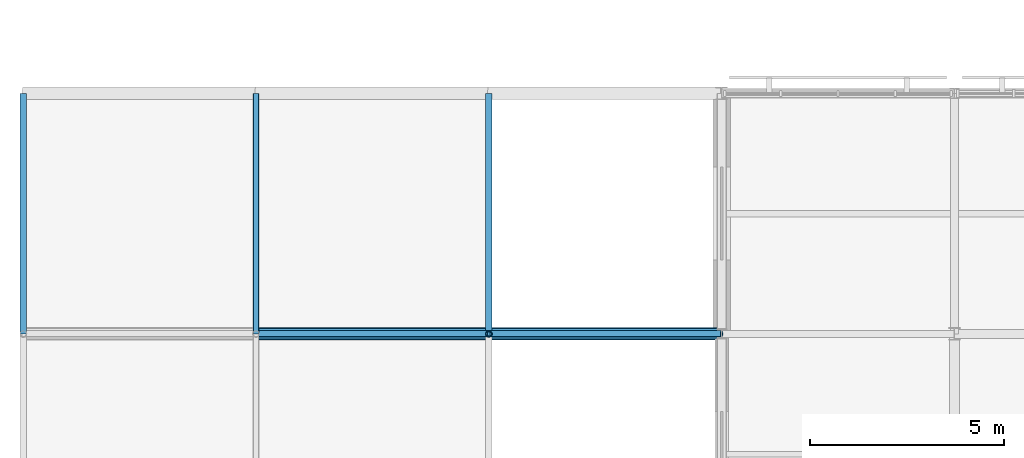
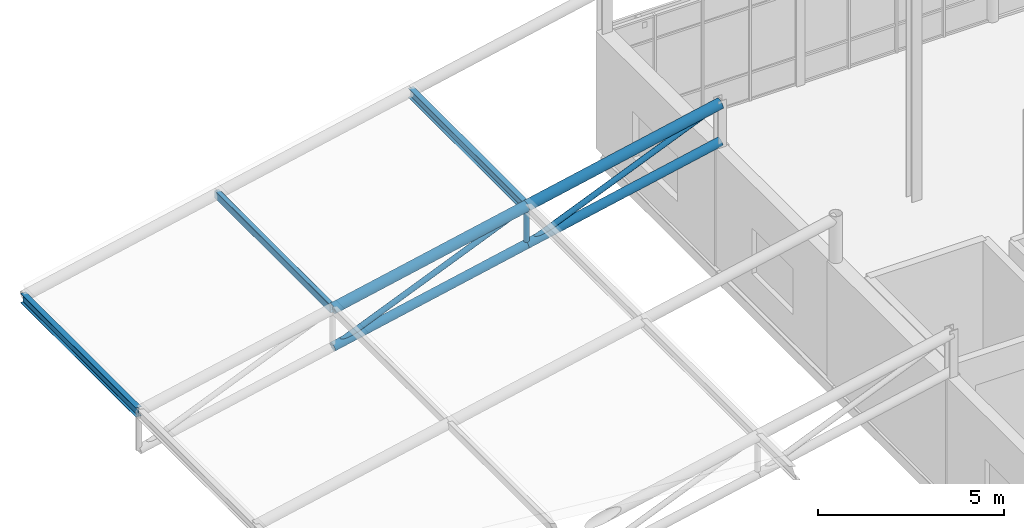
# One storey, part 28 of 84: 10 members.
"""IFC4 building model written with IfcOpenShell, lengths in metres."""

from ifc_helpers import new_model, si_unit, direction, frame, origin, origin_2d, place, context, subcontext, project, spatial, hollow_rectangle, hollow_circle, i_section, extrude, material, material_profile, profile_set, type_object, element, save


model = new_model("IFC4")

# Units and contexts
model_context = context("Model", 3, precision=1e-05, world=origin(), true_north=direction((0.0, 1.0)))
body_context = subcontext(model_context, "Body", "Model", "MODEL_VIEW")
ifc_project = project(units=[si_unit("LENGTHUNIT", "METRE"), si_unit("AREAUNIT", "SQUARE_METRE"), si_unit("VOLUMEUNIT", "CUBIC_METRE"), si_unit("PLANEANGLEUNIT", "RADIAN"), si_unit("MASSUNIT", "GRAM", prefix="KILO")], contexts=[model_context])

# Site, building, storey
site_placement = place(None, origin())
site = spatial("IfcSite", under=ifc_project, at=site_placement, CompositionType="ELEMENT")
building_placement = place(site_placement, origin())
building = spatial("IfcBuilding", under=site, at=building_placement, Name="Mirzam Square Science Centre", CompositionType="ELEMENT")
storey_placement = place(building_placement, frame((0.0, 0.0, 10.800048828125)))
storey = spatial("IfcBuildingStorey", under=building, at=storey_placement, Name="L02", CompositionType="ELEMENT", Elevation=10.800048828125)

# Members
ifc_material = material(Name="Steel S355", Category="steel")
ifc_material_profile_1 = material_profile(ifc_material, hollow_circle(Radius=0.084228515625, WallThickness=0.008056640625, at=origin_2d()), Name="168.3x8.0CHS")
ifc_profile_set_1 = profile_set([ifc_material_profile_1], Name="Steel S355")
member_type_1 = type_object("IfcMemberType", Name="BR-CHS168", PredefinedType="BRACE", material=ifc_profile_set_1)
member_1_placement = place(storey_placement, frame((6.0, 74.39990234375, 1.4345703125), z_axis=(0.922542947163, 0.0, 0.385894429396), x_axis=(0.0, 1.0, 0.0)))
element("IfcMember", 1, at=member_1_placement, inside=storey, type_object=member_type_1, Name="Wedge truss web diagonal Y13 bay 2", PredefinedType="BRACE", context=body_context, shape_type="SweptSolid", body=[
    extrude(hollow_circle(Radius=0.084228515625, WallThickness=0.008056640625, at=origin_2d()), origin(), (0.0, 0.0, 1.0), 6.503662109375),
])
member_2_placement = place(storey_placement, frame((12.0, 74.39990234375, 2.6943359375), z_axis=(0.922529582988, 0.0, 0.385926377063), x_axis=(0.0, 1.0, 0.0)))
element("IfcMember", 2, at=member_2_placement, inside=storey, type_object=member_type_1, Name="Wedge truss web diagonal Y13 bay 3", PredefinedType="BRACE", context=body_context, shape_type="SweptSolid", body=[
    extrude(hollow_circle(Radius=0.084228515625, WallThickness=0.008056640625, at=origin_2d()), origin(), (0.0, 0.0, 1.0), 6.50390625),
])
member_3_placement = place(storey_placement, frame((12.0, 74.39990234375, 2.6943359375), z_axis=(0.0, 0.0, 1.0), x_axis=(1.0, 0.0, 0.0)))
element("IfcMember", 3, at=member_3_placement, inside=storey, type_object=member_type_1, Name="Wedge truss post Y13 bay 3", PredefinedType="BRACE", context=body_context, shape_type="SweptSolid", body=[
    extrude(hollow_circle(Radius=0.084228515625, WallThickness=0.008056640625, at=origin_2d()), origin(), (0.0, 0.0, 1.0), 1.25),
])
ifc_material_profile_2 = material_profile(ifc_material, hollow_circle(Radius=0.136474609375, WallThickness=0.010009765625, at=origin_2d()), Name="273.0x10.0CHS")
ifc_profile_set_2 = profile_set([ifc_material_profile_2], Name="Steel S355")
member_type_2 = type_object("IfcMemberType", Name="CH-CHS273", PredefinedType="CHORD", material=ifc_profile_set_2)
for number, where, z_axis, x_axis, name in (
    (4, (6.0, 74.39990234375, 1.4345703125), (0.978661184912, 0.0, 0.205480619879), (0.0, 1.0, 0.0), "Wedge truss bottom chord Y13 bay 2"),
    (5, (12.0, 74.39990234375, 2.6943359375), (0.978653176229, 0.0, 0.205518759868), (0.0, 1.0, 0.0), "Wedge truss bottom chord Y13 bay 3"),
):
    element("IfcMember", number, at=place(storey_placement, frame(where, z_axis=z_axis, x_axis=x_axis)), inside=storey, type_object=member_type_2, Name=name, PredefinedType="CHORD", context=body_context, shape_type="SweptSolid", body=[
        extrude(hollow_circle(Radius=0.136474609375, WallThickness=0.010009765625, at=origin_2d()), origin(), (0.0, 0.0, 1.0), 6.130859375),
    ])
ifc_material_profile_3 = material_profile(ifc_material, hollow_circle(Radius=0.161865234375, WallThickness=0.012451171875, at=origin_2d()), Name="323.9x12.5CHS")
ifc_profile_set_3 = profile_set([ifc_material_profile_3], Name="Steel S355")
member_type_3 = type_object("IfcMemberType", Name="CH-CHS324", PredefinedType="CHORD", material=ifc_profile_set_3)
for number, where, z_axis, x_axis, name in (
    (6, (6.0, 74.39990234375, 2.6845703125), (0.978661184912, 0.0, 0.205480619879), (0.0, 1.0, 0.0), "Wedge truss top chord Y13 bay 2"),
    (7, (12.0, 74.39990234375, 3.9443359375), (0.978653176229, 0.0, 0.205518759868), (0.0, 1.0, 0.0), "Wedge truss top chord Y13 bay 3"),
):
    element("IfcMember", number, at=place(storey_placement, frame(where, z_axis=z_axis, x_axis=x_axis)), inside=storey, type_object=member_type_3, Name=name, PredefinedType="CHORD", context=body_context, shape_type="SweptSolid", body=[
        extrude(hollow_circle(Radius=0.161865234375, WallThickness=0.012451171875, at=origin_2d()), origin(), (0.0, 0.0, 1.0), 6.130859375),
    ])
ifc_material_profile_4 = material_profile(ifc_material, hollow_rectangle(XDim=0.14990234375, YDim=0.25, WallThickness=0.010009765625, InnerFilletRadius=0.010009765625, OuterFilletRadius=0.02001953125, at=origin_2d()), Name="250x150x10.0RHS")
ifc_profile_set_4 = profile_set([ifc_material_profile_4], Name="Steel S355")
member_type_4 = type_object("IfcMemberType", Name="RF-RHS250", PredefinedType="RAFTER", material=ifc_profile_set_4)
member_4_placement = place(storey_placement, frame((6.0, 74.39990234375, 2.687255859375), z_axis=(0.0, 1.0, 0.0), x_axis=(-1.0, 0.0, 0.0)))
element("IfcMember", 8, at=member_4_placement, inside=storey, type_object=member_type_4, Name="Wedge roof rafter X2-13", PredefinedType="RAFTER", context=body_context, shape_type="SweptSolid", body=[
    extrude(hollow_rectangle(XDim=0.14990234375, YDim=0.25, WallThickness=0.010009765625, InnerFilletRadius=0.010009765625, OuterFilletRadius=0.02001953125, at=origin_2d()), origin(), (0.0, 0.0, 1.0), 6.2001953125),
])
ifc_material_profile_5 = material_profile(ifc_material, i_section(OverallWidth=0.165771484375, OverallDepth=0.306640625, WebThickness=0.006591796875, FlangeThickness=0.01171875, FilletRadius=0.0087890625, at=origin_2d()), Name="305x165x46UB")
ifc_profile_set_5 = profile_set([ifc_material_profile_5], Name="Steel S355")
member_type_5 = type_object("IfcMemberType", Name="RF-UB305", PredefinedType="RAFTER", material=ifc_profile_set_5)
for number, where, z_axis, x_axis, name in (
    (9, (0.0, 74.39990234375, 1.3984375), (0.0, 1.0, 0.0), (-1.0, 0.0, 0.0), "Wedge roof rafter X1-13"),
    (10, (12.0, 74.39990234375, 3.91845703125), (0.0, 1.0, 0.0), (-1.0, 0.0, 0.0), "Wedge roof rafter X3-13"),
):
    element("IfcMember", number, at=place(storey_placement, frame(where, z_axis=z_axis, x_axis=x_axis)), inside=storey, type_object=member_type_5, Name=name, PredefinedType="RAFTER", context=body_context, shape_type="SweptSolid", body=[
        extrude(i_section(OverallWidth=0.165771484375, OverallDepth=0.306640625, WebThickness=0.006591796875, FlangeThickness=0.01171875, FilletRadius=0.0087890625, at=origin_2d()), origin(), (0.0, 0.0, 1.0), 6.2001953125),
    ])

save(model, "model.ifc")
